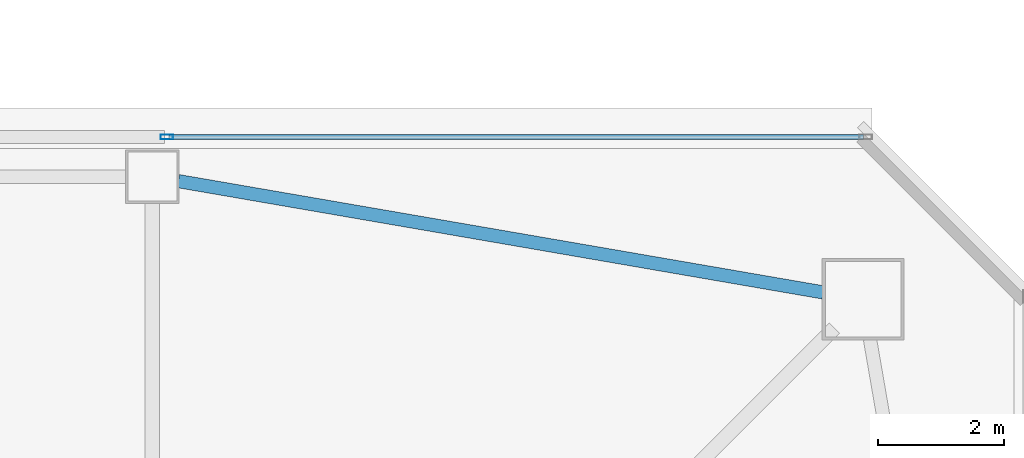
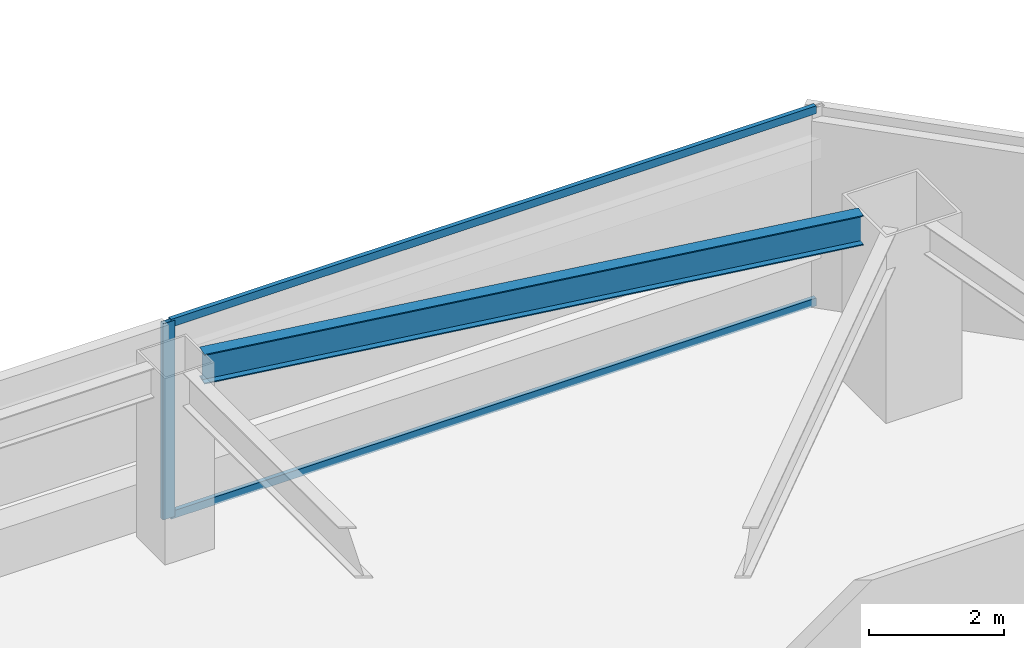
# One storey, part 14 of 41: 3 members, 1 beam, 1 element without a shape of its own.
"""IFC4 building model written with IfcOpenShell, lengths in metres."""

from ifc_helpers import new_model, si_unit, direction, frame, origin, origin_2d, place, context, subcontext, project, spatial, hollow_rectangle, i_section, extrude, material, material_profile, profile_set, type_object, element, aggregate, save


model = new_model("IFC4")

# Units and contexts
model_context = context("Model", 3, precision=1e-05, world=origin(), true_north=direction((0.0, 1.0)))
body_context = subcontext(model_context, "Body", "Model", "MODEL_VIEW")
ifc_project = project(units=[si_unit("LENGTHUNIT", "METRE"), si_unit("AREAUNIT", "SQUARE_METRE"), si_unit("VOLUMEUNIT", "CUBIC_METRE"), si_unit("PLANEANGLEUNIT", "RADIAN"), si_unit("MASSUNIT", "GRAM", prefix="KILO")], contexts=[model_context])

# Site, building, storey
site_placement = place(None, origin())
site = spatial("IfcSite", under=ifc_project, at=site_placement, CompositionType="ELEMENT")
building_placement = place(site_placement, origin())
building = spatial("IfcBuilding", under=site, at=building_placement, Name="Tashvorn Skyway Center", CompositionType="ELEMENT")
storey_placement = place(building_placement, frame((0.0, 0.0, 117.949951171875)))
storey = spatial("IfcBuildingStorey", under=building, at=storey_placement, Name="L31", CompositionType="ELEMENT", Elevation=117.949951171875)

# Beam
ifc_material_1 = material(Name="Steel ASTM A992 Grade 50", Category="steel")
ifc_material_profile_1 = material_profile(ifc_material_1, i_section(OverallWidth=0.2109375, OverallDepth=0.5390625, WebThickness=0.01171875, FlangeThickness=0.018798828125, at=origin_2d()), Name="W21X73")
ifc_profile_set_1 = profile_set([ifc_material_profile_1], Name="Steel ASTM A992 Grade 50")
beam_type = type_object("IfcBeamType", Name="BM-SPANDREL-W21X73", PredefinedType="SPANDREL", material=ifc_profile_set_1)
beam_placement = place(storey_placement, frame((58.064453125, 48.8095703125, 3.1005859375), z_axis=(-0.985432458462, 0.170067250846, 0.0), x_axis=(-0.170067250846, -0.985432458462, 0.0)))
element("IfcBeam", 1, at=beam_placement, inside=storey, type_object=beam_type, Name="Tower 1 L31 Spandrel Beam 07", PredefinedType="SPANDREL", context=body_context, shape_type="SweptSolid", body=[
    extrude(i_section(OverallWidth=0.2109375, OverallDepth=0.5390625, WebThickness=0.01171875, FlangeThickness=0.018798828125, at=origin_2d()), origin(), (0.0, 0.0, 1.0), 10.402099609375),
])

# Curtain wall, members
ifc_material_2 = material(Name="Thermally broken bronze-anodized aluminium 6063-T6", Category="aluminium")
curtain_wall_type = type_object("IfcCurtainWallType", Name="CW-CW-Z3", PredefinedType="NOTDEFINED", material=ifc_material_2)
curtain_wall_placement = place(storey_placement, origin())
curtain_wall = element("IfcCurtainWall", 2, at=curtain_wall_placement, inside=storey, type_object=curtain_wall_type, Name="Tower 1 L31 North Unitised Curtain Wall Glazing Group 2", PredefinedType="NOTDEFINED")
ifc_material_profile_2 = material_profile(ifc_material_2, hollow_rectangle(XDim=0.074951171875, YDim=0.199951171875, WallThickness=0.00439453125, at=origin_2d()), Name="ALU-MULL-75x200")
ifc_profile_set_2 = profile_set([ifc_material_profile_2], Name="Thermally broken bronze-anodized aluminium 6063-T6")
member_type_1 = type_object("IfcMemberType", Name="CWM-CW-Z3", PredefinedType="MULLION", material=ifc_profile_set_2)
member_1_placement = place(storey_placement, frame((47.630859375, 51.280029296875, 0.0), z_axis=(0.0, 0.0, 1.0), x_axis=(0.0, 1.0, 0.0)))
member_1 = element("IfcMember", 3, at=member_1_placement, type_object=member_type_1, Name="CW-Z3 mullion 1", PredefinedType="MULLION", context=body_context, shape_type="SweptSolid", body=[
    extrude(hollow_rectangle(XDim=0.074951171875, YDim=0.199951171875, WallThickness=0.00439453125, at=origin_2d()), origin(), (0.0, 0.0, 1.0), 3.550048828125),
])
ifc_material_profile_3 = material_profile(ifc_material_2, hollow_rectangle(XDim=0.074951171875, YDim=0.139892578125, WallThickness=0.004150390625, at=origin_2d()), Name="ALU-TRAN-75x140")
ifc_profile_set_3 = profile_set([ifc_material_profile_3], Name="Thermally broken bronze-anodized aluminium 6063-T6")
member_type_2 = type_object("IfcMemberType", Name="CWT-CW-Z3", PredefinedType="USERDEFINED", material=ifc_profile_set_3)
member_2_placement = place(storey_placement, frame((47.668212890625, 51.280029296875, 0.03759765625), z_axis=(1.0, 0.0, 0.0), x_axis=(0.0, 1.0, 0.0)))
member_2 = element("IfcMember", 4, at=member_2_placement, type_object=member_type_2, Name="CW-Z3 transom 1.1", ObjectType="TRANSOM", PredefinedType="USERDEFINED", context=body_context, shape_type="SweptSolid", body=[
    extrude(hollow_rectangle(XDim=0.074951171875, YDim=0.139892578125, WallThickness=0.004150390625, at=origin_2d()), origin(), (0.0, 0.0, 1.0), 11.036865234375),
])
member_3_placement = place(storey_placement, frame((47.668212890625, 51.280029296875, 3.512451171875), z_axis=(1.0, 0.0, 0.0), x_axis=(0.0, 1.0, 0.0)))
member_3 = element("IfcMember", 5, at=member_3_placement, type_object=member_type_2, Name="CW-Z3 transom 1.2", ObjectType="TRANSOM", PredefinedType="USERDEFINED", context=body_context, shape_type="SweptSolid", body=[
    extrude(hollow_rectangle(XDim=0.074951171875, YDim=0.139892578125, WallThickness=0.004150390625, at=origin_2d()), origin(), (0.0, 0.0, 1.0), 11.036865234375),
])
aggregate(curtain_wall, [member_1, member_2, member_3])

save(model, "model.ifc")
